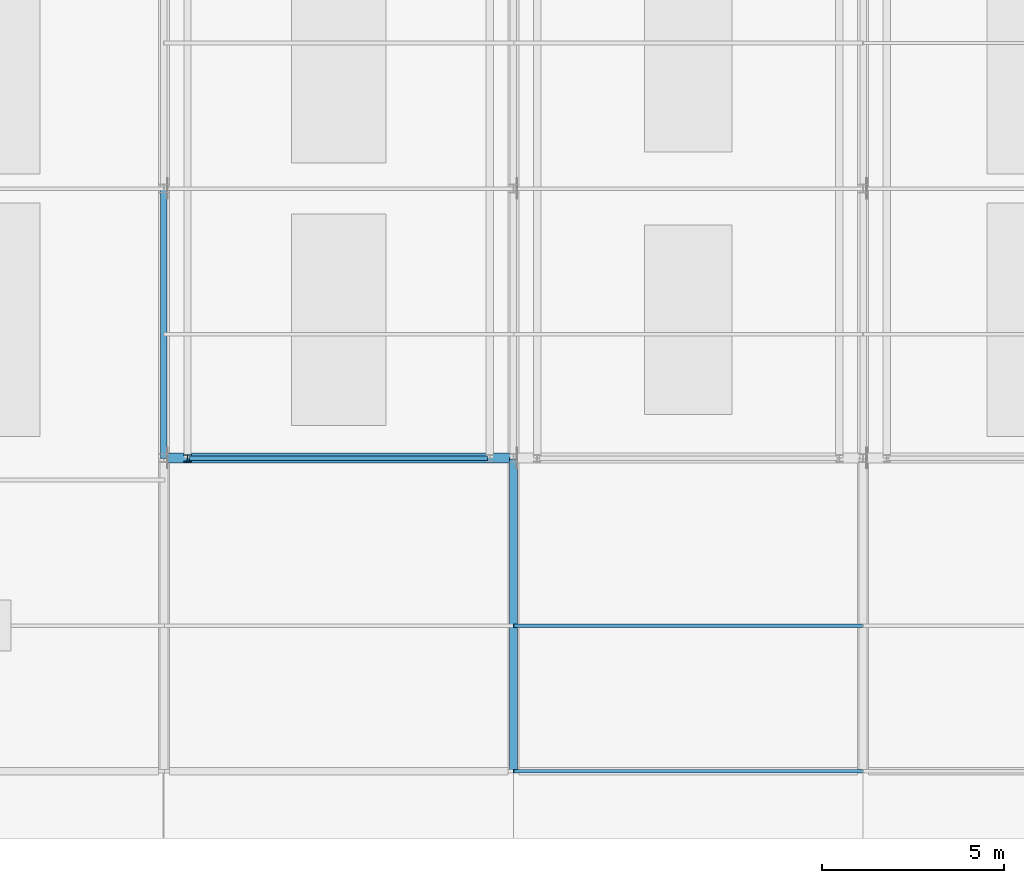
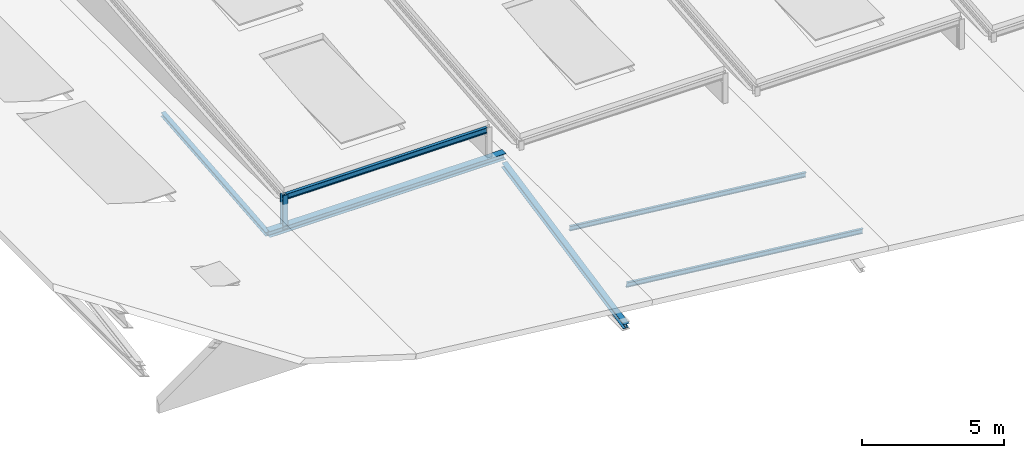
# One storey, part 2 of 30: 5 members, 2 beams.
"""IFC4 building model written with IfcOpenShell, lengths in metres."""

import ifcopenshell
import ifcopenshell.guid

model = None  # the IFC model being written
_history = None  # IfcOwnerHistory: only IFC2X3 demands one
_inside = {}  # id of a spatial element -> (the spatial element, [elements in it])
_under = {}  # id of a project, library or spatial element -> (it, [spatial elements below it])
_declared = {}  # id of a project -> (the project, [libraries it declares])
_typed = {}  # id of a type object -> (the type object, [elements of that type])
_made_of = {}  # id of a material, layer set ... -> (it, [elements and type objects made of it])


def new_model(schema):
    """Start an empty IFC model of exactly this schema.

    Asked for "IFC4X3", IfcOpenShell would pick the latest addendum, in which some entities
    have other attributes; the version numbers below select the first issue.
    IFC2X3 requires an IfcOwnerHistory on every rooted entity: one is made here for all.
    """
    global model, _history
    if schema == "IFC4X3":
        model = ifcopenshell.file(schema_version=(4, 3, 0, 0))
    else:
        model = ifcopenshell.file(schema=schema)
    _inside.clear()
    _under.clear()
    _declared.clear()
    _typed.clear()
    _made_of.clear()
    _history = None
    if model.schema == "IFC2X3":
        org = make("IfcOrganization", Name="unknown")
        user = make(
            "IfcPersonAndOrganization",
            ThePerson=make("IfcPerson", FamilyName="unknown"),
            TheOrganization=org,
        )
        app = make(
            "IfcApplication",
            ApplicationDeveloper=org,
            Version="unknown",
            ApplicationFullName="unknown",
            ApplicationIdentifier="unknown",
        )
        _history = make(
            "IfcOwnerHistory",
            OwningUser=user,
            OwningApplication=app,
            ChangeAction="ADDED",
            CreationDate=0,
        )
    return model


def make(cls, **values):
    """One entity of the class cls with the attributes given. An attribute that is None is left unset."""
    return model.create_entity(
        cls, **{name: value for name, value in values.items() if value is not None}
    )


def rooted(cls, **values):
    """An entity with a GlobalId (a new one), such as an element, a storey or a relation."""
    return make(cls, GlobalId=ifcopenshell.guid.new(), OwnerHistory=_history, **values)


def si_unit(unit_type, name, prefix=None):
    """IfcSIUnit, for example si_unit("LENGTHUNIT", "METRE", prefix="MILLI")."""
    return make("IfcSIUnit", UnitType=unit_type, Prefix=prefix, Name=name)


def assignment(units):
    """IfcUnitAssignment: the units of a project."""
    return None if units is None else make("IfcUnitAssignment", Units=units)


def point(xyz):
    """IfcCartesianPoint."""
    return None if xyz is None else make("IfcCartesianPoint", Coordinates=xyz)


def direction(xyz):
    """IfcDirection."""
    return None if xyz is None else make("IfcDirection", DirectionRatios=xyz)


def frame(location, z_axis=None, x_axis=None):
    """IfcAxis2Placement3D, a coordinate frame: its origin and axes. An axis left out is left unset."""
    return make(
        "IfcAxis2Placement3D",
        Location=point(location),
        Axis=direction(z_axis),
        RefDirection=direction(x_axis),
    )


def frame_2d(location, x_axis=None):
    """IfcAxis2Placement2D, a coordinate frame in the plane: its origin and x axis."""
    return make(
        "IfcAxis2Placement2D", Location=point(location), RefDirection=direction(x_axis)
    )


def origin():
    """The frame at (0, 0, 0) with its axes left unset."""
    return frame((0.0, 0.0, 0.0))


def origin_2d():
    """The frame at (0, 0) in the plane with its x axis left unset."""
    return frame_2d((0.0, 0.0))


def place(relative_to, where):
    """IfcLocalPlacement: puts the frame where relative to a parent placement (None: the world)."""
    return make(
        "IfcLocalPlacement", PlacementRelTo=relative_to, RelativePlacement=where
    )


def context(
    kind, dimensions, precision=None, world=None, true_north=None, identifier=None
):
    """IfcGeometricRepresentationContext, for example the 3D "Model" context."""
    return make(
        "IfcGeometricRepresentationContext",
        ContextIdentifier=identifier,
        ContextType=kind,
        CoordinateSpaceDimension=dimensions,
        Precision=precision,
        WorldCoordinateSystem=world,
        TrueNorth=true_north,
    )


def subcontext(parent, identifier, kind, view, scale=None):
    """IfcGeometricRepresentationSubContext, for example "Body" below "Model"."""
    return make(
        "IfcGeometricRepresentationSubContext",
        ContextIdentifier=identifier,
        ContextType=kind,
        ParentContext=parent,
        TargetScale=scale,
        TargetView=view,
    )


def project(units=None, contexts=None):
    """IfcProject with its units and contexts."""
    return rooted(
        "IfcProject",
        Name="project",
        RepresentationContexts=contexts,
        UnitsInContext=assignment(units),
    )


def spatial(cls, under=None, at=None, **own):
    """A site, building, storey or space (cls), placed at a placement, below another one or the project."""
    s = rooted(cls, ObjectPlacement=at, **own)
    if under is not None:
        _under.setdefault(under.id(), (under, []))[1].append(s)
    return s


def profile(cls, at=None, kind="AREA", **sizes):
    """A parametric profile (cls). Its sizes go by their IFC names, for example OverallWidth=200.0."""
    return make(cls, ProfileType=kind, Position=at, **sizes)


def i_section(**sizes):
    """IfcIShapeProfileDef."""
    return profile("IfcIShapeProfileDef", **sizes)


def extrude(swept, where, along, depth):
    """IfcExtrudedAreaSolid: the profile swept, set in the frame where, extruded along a direction by depth."""
    return make(
        "IfcExtrudedAreaSolid",
        SweptArea=swept,
        Position=where,
        ExtrudedDirection=direction(along),
        Depth=depth,
    )


def shape(context_of_items, identifier, shape_type, items):
    """IfcShapeRepresentation: the items that make up one representation, for example the "Body"."""
    return make(
        "IfcShapeRepresentation",
        ContextOfItems=context_of_items,
        RepresentationIdentifier=identifier,
        RepresentationType=shape_type,
        Items=items,
    )


def material(Name=None, Category=None):
    """IfcMaterial."""
    return make("IfcMaterial", Name=Name, Category=Category)


def material_profile(
    of_material, cross_section, Name=None, Category=None, Priority=None
):
    """IfcMaterialProfile: a cross section and its material."""
    return make(
        "IfcMaterialProfile",
        Name=Name,
        Material=of_material,
        Profile=cross_section,
        Priority=Priority,
        Category=Category,
    )


def profile_set(profiles, Name=None, composite=None):
    """IfcMaterialProfileSet."""
    return make(
        "IfcMaterialProfileSet",
        Name=Name,
        MaterialProfiles=profiles,
        CompositeProfile=composite,
    )


def made_of(thing, what):
    """Note that an element or type object is made of a material, layer set ...; save() writes the relation."""
    if what is not None:
        _made_of.setdefault(what.id(), (what, []))[1].append(thing)
    return thing


def type_object(cls, material=None, **own):
    """A type object (cls), such as IfcWallType, which elements share."""
    return made_of(rooted(cls, **own), material)


def element(
    cls,
    number,
    at=None,
    inside=None,
    cuts=None,
    type_object=None,
    material=None,
    context=None,
    identifier="Body",
    shape_type=None,
    held_by="IfcProductDefinitionShape",
    body=None,
    shapes=None,
    **own,
):
    """One element of the class cls, such as IfcWall. Its Tag is "e" and its number.

    at: its placement. inside: the storey or other place that contains it. cuts: it is an
    opening in that element (IfcRelVoidsElement). A single representation is given by context,
    identifier, shape_type and body (its items); several are given by shapes. held_by: the class
    of the entity that holds the representations. save() writes the other relations.
    """
    e = rooted(cls, Tag="e%d" % number, ObjectPlacement=at, **own)
    if body is not None:
        shapes = [shape(context, identifier, shape_type, body)]
    if shapes is not None:
        e.Representation = make(held_by, Representations=shapes)
    if inside is not None:
        _inside.setdefault(inside.id(), (inside, []))[1].append(e)
    if cuts is not None:
        rooted(
            "IfcRelVoidsElement", RelatingBuildingElement=cuts, RelatedOpeningElement=e
        )
    if type_object is not None:
        _typed.setdefault(type_object.id(), (type_object, []))[1].append(e)
    return made_of(e, material)


def aggregate(whole, parts):
    """IfcRelAggregates: a whole, such as a stair, and the parts it consists of."""
    return rooted("IfcRelAggregates", RelatingObject=whole, RelatedObjects=parts)


def save(model, path):
    """Write the relations noted so far, then the file.

    IfcRelAggregates (storeys below a building ...), IfcRelContainedInSpatialStructure (elements
    in a storey), IfcRelDefinesByType, IfcRelAssociatesMaterial and IfcRelDeclares: one each for
    every whole, place, type object, material and project.
    """
    for whole, parts in _under.values():
        aggregate(whole, parts)
    for where, things in _inside.values():
        rooted(
            "IfcRelContainedInSpatialStructure",
            RelatedElements=things,
            RelatingStructure=where,
        )
    for kind, things in _typed.values():
        rooted("IfcRelDefinesByType", RelatedObjects=things, RelatingType=kind)
    for what, things in _made_of.values():
        rooted("IfcRelAssociatesMaterial", RelatedObjects=things, RelatingMaterial=what)
    for by, libraries in _declared.values():
        rooted("IfcRelDeclares", RelatingContext=by, RelatedDefinitions=libraries)
    model.write(path)


model = new_model("IFC4")

# Units and contexts
model_context = context("Model", 3, precision=1e-05, world=origin(), true_north=direction((0.0, 1.0)))
body_context = subcontext(model_context, "Body", "Model", "MODEL_VIEW")
ifc_project = project(units=[si_unit("LENGTHUNIT", "METRE"), si_unit("AREAUNIT", "SQUARE_METRE"), si_unit("VOLUMEUNIT", "CUBIC_METRE"), si_unit("PLANEANGLEUNIT", "RADIAN"), si_unit("MASSUNIT", "GRAM", prefix="KILO")], contexts=[model_context])

# Site, building, storey
site_placement = place(None, origin())
site = spatial("IfcSite", under=ifc_project, at=site_placement, CompositionType="ELEMENT")
building_placement = place(site_placement, origin())
building = spatial("IfcBuilding", under=site, at=building_placement, Name="Alderhovde Museum", CompositionType="ELEMENT")
storey_placement = place(building_placement, frame((0.0, 0.0, 30.699951171875)))
storey = spatial("IfcBuildingStorey", under=building, at=storey_placement, Name="RF", CompositionType="ELEMENT", Elevation=30.699951171875)

# Beams
ifc_material_1 = material(Name="Steel S355J2", Category="steel")
ifc_material_profile_1 = material_profile(ifc_material_1, i_section(OverallWidth=0.280029296875, OverallDepth=0.27001953125, WebThickness=0.008056640625, FlangeThickness=0.012939453125, FilletRadius=0.02392578125, at=origin_2d()), Name="HEA 280")
ifc_profile_set_1 = profile_set([ifc_material_profile_1], Name="Steel S355J2")
beam_type_1 = type_object("IfcBeamType", Name="BM-HEA280", PredefinedType="BEAM", material=ifc_profile_set_1)
beam_1_placement = place(storey_placement, frame((19.199951171875, 56.60009765625, -2.39990234375), z_axis=(1.0, 0.0, 0.0), x_axis=(0.0, 1.0, 0.0)))
element("IfcBeam", 1, at=beam_1_placement, inside=storey, type_object=beam_type_1, Name="Sawtooth Monitor Stringer Bay 2-S", PredefinedType="BEAM", context=body_context, shape_type="SweptSolid", body=[
    extrude(i_section(OverallWidth=0.280029296875, OverallDepth=0.27001953125, WebThickness=0.008056640625, FlangeThickness=0.012939453125, FilletRadius=0.02392578125, at=origin_2d()), origin(), (0.0, 0.0, 1.0), 9.60009765625),
])
ifc_material_2 = material(Name="Steel S355J2", Category="steel")
ifc_material_profile_2 = material_profile(ifc_material_2, i_section(OverallWidth=0.1201171875, OverallDepth=0.239990234375, WebThickness=0.006103515625, FlangeThickness=0.009765625, FilletRadius=0.014892578125, at=origin_2d()), Name="IPE 240")
ifc_profile_set_2 = profile_set([ifc_material_profile_2], Name="Steel S355J2")
beam_type_2 = type_object("IfcBeamType", Name="BM-IPE240", PredefinedType="BEAM", material=ifc_profile_set_2)
beam_2_placement = place(storey_placement, frame((19.909912109375, 56.60009765625, -1.079833984375), z_axis=(1.0, 0.0, 0.0), x_axis=(0.0, 1.0, 0.0)))
element("IfcBeam", 2, at=beam_2_placement, inside=storey, type_object=beam_type_2, Name="Sawtooth Monitor Wedge Rafter Bay 2-S", PredefinedType="BEAM", context=body_context, shape_type="SweptSolid", body=[
    extrude(i_section(OverallWidth=0.1201171875, OverallDepth=0.239990234375, WebThickness=0.006103515625, FlangeThickness=0.009765625, FilletRadius=0.014892578125, at=origin_2d()), origin(), (0.0, 0.0, 1.0), 8.18017578125),
])

# Members
ifc_material_3 = material(Name="Steel S355J2", Category="steel")
ifc_material_profile_3 = material_profile(ifc_material_3, i_section(OverallWidth=0.10009765625, OverallDepth=0.199951171875, WebThickness=0.005615234375, FlangeThickness=0.008544921875, FilletRadius=0.011962890625, at=origin_2d()), Name="IPE 200")
ifc_profile_set_3 = profile_set([ifc_material_profile_3], Name="Steel S355J2")
member_type_1 = type_object("IfcMemberType", Name="PRL-IPE200", PredefinedType="PURLIN", material=ifc_profile_set_3)
for number, where, z_axis, x_axis, name in (
    (3, (28.800048828125, 48.0, -2.7783203125), (0.99420142343, 0.0, -0.107533853509), (0.0, 1.0, 0.0), "Folded Wing Roof Purlin Bay 3 Y=48"),
    (4, (28.800048828125, 52.0, -2.7783203125), (0.99420142343, 0.0, -0.107533853509), (0.0, 1.0, 0.0), "Folded Wing Roof Purlin Bay 3 Y=52"),
):
    element("IfcMember", number, at=place(storey_placement, frame(where, z_axis=z_axis, x_axis=x_axis)), inside=storey, type_object=member_type_1, Name=name, PredefinedType="PURLIN", context=body_context, shape_type="SweptSolid", body=[
        extrude(i_section(OverallWidth=0.10009765625, OverallDepth=0.199951171875, WebThickness=0.005615234375, FlangeThickness=0.008544921875, FilletRadius=0.011962890625, at=origin_2d()), origin(), (0.0, 0.0, 1.0), 9.65576171875),
    ])
ifc_material_4 = material(Name="Steel S355J2", Category="steel")
ifc_material_profile_4 = material_profile(ifc_material_4, i_section(OverallWidth=0.179931640625, OverallDepth=0.1708984375, WebThickness=0.006103515625, FlangeThickness=0.009521484375, FilletRadius=0.014892578125, at=origin_2d()), Name="HEA 180")
ifc_profile_set_4 = profile_set([ifc_material_profile_4], Name="Steel S355J2")
member_type_2 = type_object("IfcMemberType", Name="TR-DG-HEA180", PredefinedType="RAFTER", material=ifc_profile_set_4)
member_1_placement = place(storey_placement, frame((19.199951171875, 56.60009765625, -2.449951171875), z_axis=(0.0, 0.995805220188, 0.091498434122), x_axis=(-1.0, 0.0, 0.0)))
element("IfcMember", 5, at=member_1_placement, inside=storey, type_object=member_type_2, Name="Sawtooth Roof Truss X=19.2 Web Diagonal 2", PredefinedType="RAFTER", context=body_context, shape_type="SweptSolid", body=[
    extrude(i_section(OverallWidth=0.179931640625, OverallDepth=0.1708984375, WebThickness=0.006103515625, FlangeThickness=0.009521484375, FilletRadius=0.014892578125, at=origin_2d()), origin(), (0.0, 0.0, 1.0), 7.43115234375),
])
ifc_material_5 = material(Name="Steel S355J2", Category="steel")
ifc_material_profile_5 = material_profile(ifc_material_5, i_section(OverallWidth=0.219970703125, OverallDepth=0.2099609375, WebThickness=0.007080078125, FlangeThickness=0.010986328125, FilletRadius=0.01806640625, at=origin_2d()), Name="HEA 220")
ifc_profile_set_5 = profile_set([ifc_material_profile_5], Name="Steel S355J2")
member_type_3 = type_object("IfcMemberType", Name="TR-DG-HEA220", PredefinedType="RAFTER", material=ifc_profile_set_5)
member_2_placement = place(storey_placement, frame((28.800048828125, 48.0, -4.558349609375), z_axis=(0.0, 0.97991824063, 0.199399703311), x_axis=(-1.0, 0.0, 0.0)))
element("IfcMember", 6, at=member_2_placement, inside=storey, type_object=member_type_3, Name="Sawtooth Roof Truss X=28.8 Web Diagonal 1", PredefinedType="RAFTER", context=body_context, shape_type="SweptSolid", body=[
    extrude(i_section(OverallWidth=0.219970703125, OverallDepth=0.2099609375, WebThickness=0.007080078125, FlangeThickness=0.010986328125, FilletRadius=0.01806640625, at=origin_2d()), origin(), (0.0, 0.0, 1.0), 8.7763671875),
])
ifc_material_6 = material(Name="Steel S355J2", Category="steel")
ifc_material_profile_6 = material_profile(ifc_material_6, i_section(OverallWidth=0.199951171875, OverallDepth=0.18994140625, WebThickness=0.006591796875, FlangeThickness=0.010009765625, FilletRadius=0.01806640625, at=origin_2d()), Name="HEA 200")
ifc_profile_set_6 = profile_set([ifc_material_profile_6], Name="Steel S355J2")
member_type_4 = type_object("IfcMemberType", Name="TR-PS-HEA200", PredefinedType="POST", material=ifc_profile_set_6)
member_3_placement = place(storey_placement, frame((19.85009765625, 56.60009765625, -2.39990234375), z_axis=(0.0, 0.0, 1.0), x_axis=(1.0, 0.0, 0.0)))
element("IfcMember", 7, at=member_3_placement, inside=storey, type_object=member_type_4, Name="Sawtooth Monitor Post Bay 2-1", PredefinedType="POST", context=body_context, shape_type="SweptSolid", body=[
    extrude(i_section(OverallWidth=0.199951171875, OverallDepth=0.18994140625, WebThickness=0.006591796875, FlangeThickness=0.010009765625, FilletRadius=0.01806640625, at=origin_2d()), origin(), (0.0, 0.0, 1.0), 1.43994140625),
])

save(model, "model.ifc")
